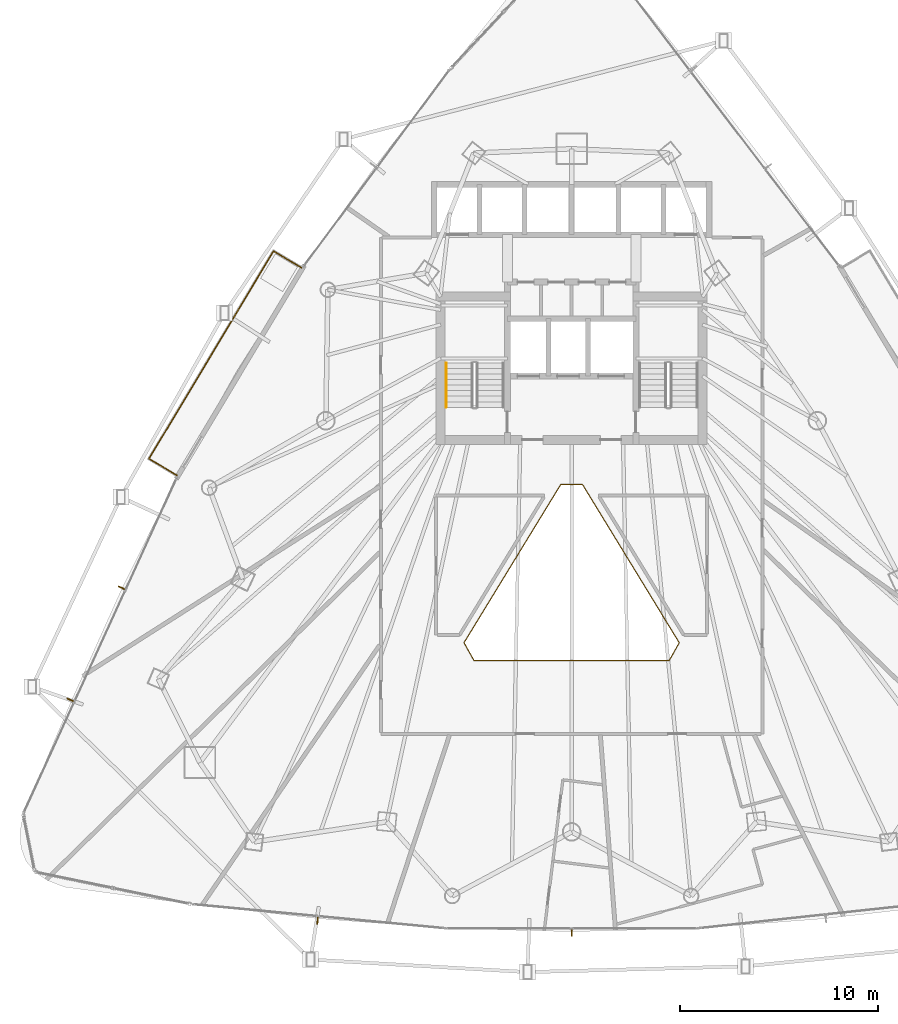
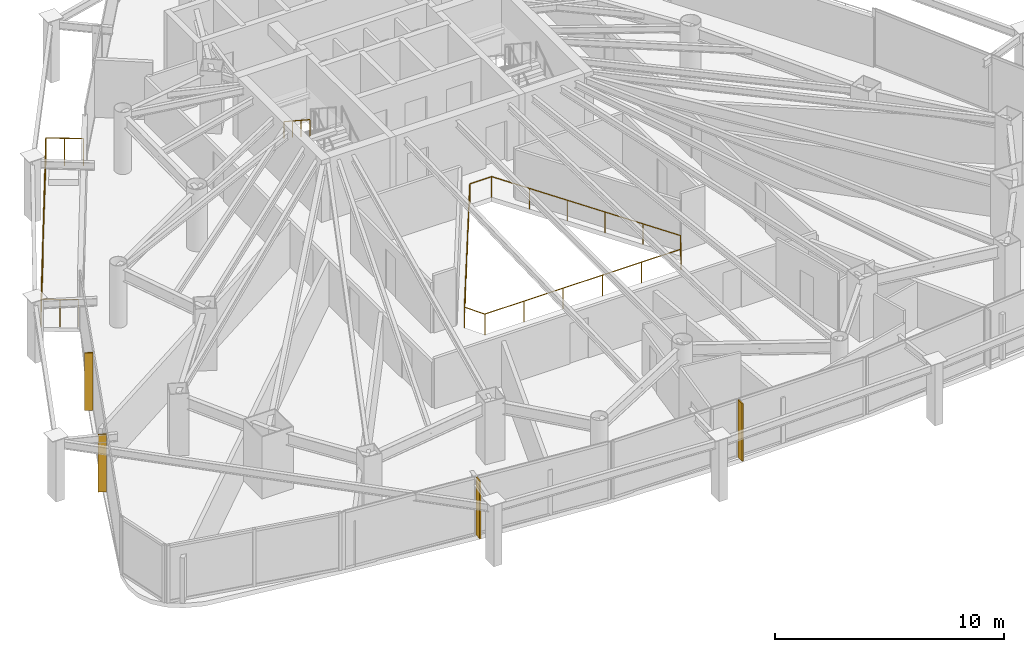
# One storey, part 31 of 33: 4 shading devices, 3 railings.
"""IFC4 building model written with IfcOpenShell, lengths in metres."""

from ifc_helpers import new_model, si_unit, direction, frame, origin, origin_2d, place, context, subcontext, project, spatial, rectangle, circle, extrude, material, layer, layer_set, type_object, element, save


model = new_model("IFC4")

# Units and contexts
model_context = context("Model", 3, precision=1e-05, world=origin(), true_north=direction((0.0, 1.0)))
body_context = subcontext(model_context, "Body", "Model", "MODEL_VIEW")
ifc_project = project(units=[si_unit("LENGTHUNIT", "METRE"), si_unit("AREAUNIT", "SQUARE_METRE"), si_unit("VOLUMEUNIT", "CUBIC_METRE"), si_unit("PLANEANGLEUNIT", "RADIAN"), si_unit("MASSUNIT", "GRAM", prefix="KILO")], contexts=[model_context])

# Site, building, storey
site_placement = place(None, origin())
site = spatial("IfcSite", under=ifc_project, at=site_placement, CompositionType="ELEMENT")
building_placement = place(site_placement, origin())
building = spatial("IfcBuilding", under=site, at=building_placement, Name="Orvanel Arch Residences", CompositionType="ELEMENT")
storey_placement = place(building_placement, frame((0.0, 0.0, 70.85009765625)))
storey = spatial("IfcBuildingStorey", under=building, at=storey_placement, Name="L19", CompositionType="ELEMENT", Elevation=70.85009765625)

# Shading devices
ifc_material_1 = material(Name="Bronze-anodised aluminium AA6063-T6", Category="aluminium")
ifc_layer = layer(ifc_material_1, 0.06005859375)
ifc_layer_set = layer_set([ifc_layer], Name="Bronze-anodised aluminium AA6063-T6")
shading_device_type = type_object("IfcShadingDeviceType", Name="FIN-BRZ-380", PredefinedType="USERDEFINED", material=ifc_layer_set)
for number, where, z_axis, x_axis, name in (
    (1, (10.24609375, 19.18408203125, -0.000244140625), (0.0, 0.0, 1.0), (-0.909236109047, 0.41628079226, 0.0), "L19 Anodised Bronze Mullion FIN 01"),
    (2, (7.656982421875, 13.51904296875, -0.000244140625), (0.0, 0.0, 1.0), (-0.909236109047, 0.41628079226, 0.0), "L19 Anodised Bronze Mullion FIN 02"),
    (3, (20.153076171875, 2.361083984375, -0.000244140625), (0.0, 0.0, 1.0), (-0.094108313319, -0.995561964603, 0.0), "L19 Anodised Bronze Mullion FIN 01"),
    (4, (33.0, 1.7490234375, -0.000244140625), (0.0, 0.0, 1.0), (0.0, -1.0, 0.0), "L19 Anodised Bronze Mullion FIN 01"),
):
    element("IfcShadingDevice", number, at=place(storey_placement, frame(where, z_axis=z_axis, x_axis=x_axis)), inside=storey, type_object=shading_device_type, Name=name, ObjectType="FIN", PredefinedType="USERDEFINED", context=body_context, shape_type="SweptSolid", body=[
        extrude(rectangle(XDim=0.3798828125, YDim=0.06005859375, at=origin_2d()), origin(), (0.0, 0.0, 1.0), 3.06005859375),
    ])

# Railings
railing_type_1 = type_object("IfcRailingType", Name="RL-ATR-1120", PredefinedType="BALUSTRADE", material=ifc_material_1)
railing_1_placement = place(storey_placement, frame((33.551025390625, 24.409912109375, 0.0)))
element("IfcRailing", 5, at=railing_1_placement, inside=storey, type_object=railing_type_1, Name="L19 Atrium Void Protective Balustrade", PredefinedType="BALUSTRADE", context=body_context, shape_type="SweptSolid", body=[
    extrude(circle(Radius=0.02392578125, at=origin_2d()), frame((-0.00146484375, 0.0, 1.09619140625), z_axis=(-1.0, 0.0, 0.0), x_axis=(0.0, -1.0, 0.0)), (0.0, 0.0, 1.0), 1.09912109375),
    extrude(circle(Radius=0.02392578125, at=origin_2d()), frame((-1.102783203125, -0.001220703125, 1.09619140625), z_axis=(-0.521602774539, -0.853188458427, 0.0), x_axis=(0.853188458427, -0.521602774539, 0.0)), (0.0, 0.0, 1.0), 9.369873046875),
    extrude(circle(Radius=0.02392578125, at=origin_2d()), frame((-5.990234375, -7.998046875, 1.09619140625), z_axis=(0.488387613231, -0.872626804105, 0.0), x_axis=(0.872626804105, 0.488387613231, 0.0)), (0.0, 0.0, 1.0), 1.03076171875),
    extrude(circle(Radius=0.02392578125, at=origin_2d()), frame((-5.484619140625, -8.89892578125, 1.09619140625), z_axis=(1.0, 0.0, 0.0), x_axis=(0.0, 1.0, 0.0)), (0.0, 0.0, 1.0), 9.8671875),
    extrude(circle(Radius=0.02392578125, at=origin_2d()), frame((4.384765625, -8.897705078125, 1.09619140625), z_axis=(0.488387613231, 0.872626804105, 0.0), x_axis=(-0.872626804105, 0.488387613231, 0.0)), (0.0, 0.0, 1.0), 1.03076171875),
    extrude(circle(Radius=0.02392578125, at=origin_2d()), frame((4.88818359375, -7.99560546875, 1.09619140625), z_axis=(-0.521602774539, 0.853188458427, 0.0), x_axis=(-0.853188458427, -0.521602774539, 0.0)), (0.0, 0.0, 1.0), 9.369873046875),
    extrude(circle(Radius=0.02099609375, at=origin_2d()), origin(), (0.0, 0.0, 1.0), 1.070068359375),
    extrude(circle(Radius=0.02099609375, at=origin_2d()), frame((-1.10205078125, 0.0, 0.0)), (0.0, 0.0, 1.0), 1.070068359375),
    extrude(circle(Radius=0.02099609375, at=origin_2d()), frame((-2.079833984375, -1.599365234375, 0.0)), (0.0, 0.0, 1.0), 1.070068359375),
    extrude(circle(Radius=0.02099609375, at=origin_2d()), frame((-3.0576171875, -3.19873046875, 0.0)), (0.0, 0.0, 1.0), 1.070068359375),
    extrude(circle(Radius=0.02099609375, at=origin_2d()), frame((-4.035400390625, -4.798095703125, 0.0)), (0.0, 0.0, 1.0), 1.070068359375),
    extrude(circle(Radius=0.02099609375, at=origin_2d()), frame((-5.01318359375, -6.3974609375, 0.0)), (0.0, 0.0, 1.0), 1.070068359375),
    extrude(circle(Radius=0.02099609375, at=origin_2d()), frame((-5.990966796875, -7.996826171875, 0.0)), (0.0, 0.0, 1.0), 1.070068359375),
    extrude(circle(Radius=0.02099609375, at=origin_2d()), frame((-5.486083984375, -8.89892578125, 0.0)), (0.0, 0.0, 1.0), 1.070068359375),
    extrude(circle(Radius=0.02099609375, at=origin_2d()), frame((-3.511962890625, -8.89892578125, 0.0)), (0.0, 0.0, 1.0), 1.070068359375),
    extrude(circle(Radius=0.02099609375, at=origin_2d()), frame((-1.5380859375, -8.89892578125, 0.0)), (0.0, 0.0, 1.0), 1.070068359375),
    extrude(circle(Radius=0.02099609375, at=origin_2d()), frame((0.43603515625, -8.89892578125, 0.0)), (0.0, 0.0, 1.0), 1.070068359375),
    extrude(circle(Radius=0.02099609375, at=origin_2d()), frame((2.409912109375, -8.89892578125, 0.0)), (0.0, 0.0, 1.0), 1.070068359375),
    extrude(circle(Radius=0.02099609375, at=origin_2d()), frame((4.384033203125, -8.89892578125, 0.0)), (0.0, 0.0, 1.0), 1.070068359375),
    extrude(circle(Radius=0.02099609375, at=origin_2d()), frame((4.888916015625, -7.996826171875, 0.0)), (0.0, 0.0, 1.0), 1.070068359375),
    extrude(circle(Radius=0.02099609375, at=origin_2d()), frame((3.9111328125, -6.3974609375, 0.0)), (0.0, 0.0, 1.0), 1.070068359375),
    extrude(circle(Radius=0.02099609375, at=origin_2d()), frame((2.933349609375, -4.798095703125, 0.0)), (0.0, 0.0, 1.0), 1.070068359375),
    extrude(circle(Radius=0.02099609375, at=origin_2d()), frame((1.95556640625, -3.19873046875, 0.0)), (0.0, 0.0, 1.0), 1.070068359375),
    extrude(circle(Radius=0.02099609375, at=origin_2d()), frame((0.977783203125, -1.599365234375, 0.0)), (0.0, 0.0, 1.0), 1.070068359375),
])
railing_type_2 = type_object("IfcRailingType", Name="RL-BAL-1480", PredefinedType="BALUSTRADE", material=ifc_material_1)
railing_2_placement = place(storey_placement, frame((19.330078125, 35.37890625, 0.0)))
element("IfcRailing", 6, at=railing_2_placement, inside=storey, type_object=railing_type_2, Name="L19 Balcony Perimeter Guardrail Face 1", PredefinedType="BALUSTRADE", context=body_context, shape_type="SweptSolid", body=[
    extrude(circle(Radius=0.02392578125, at=origin_2d()), frame((-0.001220703125, 0.000732421875, 1.4560546875), z_axis=(-0.857387817543, 0.514670895164, 0.0), x_axis=(-0.514670895164, -0.857387817543, 0.0)), (0.0, 0.0, 1.0), 1.636962890625),
    extrude(circle(Radius=0.02392578125, at=origin_2d()), frame((-1.40673828125, 0.8427734375, 1.4560546875), z_axis=(-0.514393151016, -0.857554480012, 0.0), x_axis=(0.857554480012, -0.514393151016, 0.0)), (0.0, 0.0, 1.0), 12.24462890625),
    extrude(circle(Radius=0.02392578125, at=origin_2d()), frame((-7.704833984375, -9.65966796875, 1.4560546875), z_axis=(0.857545439568, -0.514408222208, 0.0), x_axis=(0.514408222208, 0.857545439568, 0.0)), (0.0, 0.0, 1.0), 1.6376953125),
    extrude(circle(Radius=0.02099609375, at=origin_2d()), origin(), (0.0, 0.0, 1.0), 1.429931640625),
    extrude(circle(Radius=0.02099609375, at=origin_2d()), frame((-0.703125, 0.421875, 0.0)), (0.0, 0.0, 1.0), 1.429931640625),
    extrude(circle(Radius=0.02099609375, at=origin_2d()), frame((-1.406005859375, 0.843994140625, 0.0)), (0.0, 0.0, 1.0), 1.429931640625),
    extrude(circle(Radius=0.02099609375, at=origin_2d()), frame((-1.978759765625, -0.11083984375, 0.0)), (0.0, 0.0, 1.0), 1.429931640625),
    extrude(circle(Radius=0.02099609375, at=origin_2d()), frame((-2.551513671875, -1.065673828125, 0.0)), (0.0, 0.0, 1.0), 1.429931640625),
    extrude(circle(Radius=0.02099609375, at=origin_2d()), frame((-3.124267578125, -2.0205078125, 0.0)), (0.0, 0.0, 1.0), 1.429931640625),
    extrude(circle(Radius=0.02099609375, at=origin_2d()), frame((-3.697021484375, -2.975341796875, 0.0)), (0.0, 0.0, 1.0), 1.429931640625),
    extrude(circle(Radius=0.02099609375, at=origin_2d()), frame((-4.269775390625, -3.93017578125, 0.0)), (0.0, 0.0, 1.0), 1.429931640625),
    extrude(circle(Radius=0.02099609375, at=origin_2d()), frame((-4.84228515625, -4.884765625, 0.0)), (0.0, 0.0, 1.0), 1.429931640625),
    extrude(circle(Radius=0.02099609375, at=origin_2d()), frame((-5.4150390625, -5.839599609375, 0.0)), (0.0, 0.0, 1.0), 1.429931640625),
    extrude(circle(Radius=0.02099609375, at=origin_2d()), frame((-5.98779296875, -6.79443359375, 0.0)), (0.0, 0.0, 1.0), 1.429931640625),
    extrude(circle(Radius=0.02099609375, at=origin_2d()), frame((-6.560546875, -7.749267578125, 0.0)), (0.0, 0.0, 1.0), 1.429931640625),
    extrude(circle(Radius=0.02099609375, at=origin_2d()), frame((-7.13330078125, -8.7041015625, 0.0)), (0.0, 0.0, 1.0), 1.429931640625),
    extrude(circle(Radius=0.02099609375, at=origin_2d()), frame((-7.7060546875, -9.658935546875, 0.0)), (0.0, 0.0, 1.0), 1.429931640625),
    extrude(circle(Radius=0.02099609375, at=origin_2d()), frame((-7.00244140625, -10.0810546875, 0.0)), (0.0, 0.0, 1.0), 1.429931640625),
    extrude(circle(Radius=0.02099609375, at=origin_2d()), frame((-6.299072265625, -10.5029296875, 0.0)), (0.0, 0.0, 1.0), 1.429931640625),
])
ifc_material_2 = material(Name="Structural steel AS/NZS 1163 C350L0 (Grade 350)", Category="steel")
railing_type_3 = type_object("IfcRailingType", Name="RL-STAIR-HAND", PredefinedType="HANDRAIL", material=ifc_material_2)
railing_3_placement = place(storey_placement, frame((26.64990234375, 30.56005859375, 1.833251953125)))
element("IfcRailing", 7, at=railing_3_placement, inside=storey, type_object=railing_type_3, Name="L19 ST-1 stair handrail 2", PredefinedType="HANDRAIL", context=body_context, shape_type="SweptSolid", body=[
    extrude(circle(Radius=0.02392578125, at=origin_2d()), frame((0.0, -0.001220703125, 0.876708984375), z_axis=(0.0, -0.836636935527, 0.547757827979), x_axis=(1.0, 0.0, 0.0)), (0.0, 0.0, 1.0), 2.67431640625),
    extrude(circle(Radius=0.02099609375, at=origin_2d()), origin(), (0.0, 0.0, 1.0), 0.849853515625),
    extrude(circle(Radius=0.02099609375, at=origin_2d()), frame((0.0, -0.74658203125, 0.48876953125)), (0.0, 0.0, 1.0), 0.849853515625),
    extrude(circle(Radius=0.02099609375, at=origin_2d()), frame((0.0, -1.493408203125, 0.977783203125)), (0.0, 0.0, 1.0), 0.849853515625),
    extrude(circle(Radius=0.02099609375, at=origin_2d()), frame((0.0, -2.239990234375, 1.466552734375)), (0.0, 0.0, 1.0), 0.849853515625),
])

save(model, "model.ifc")
